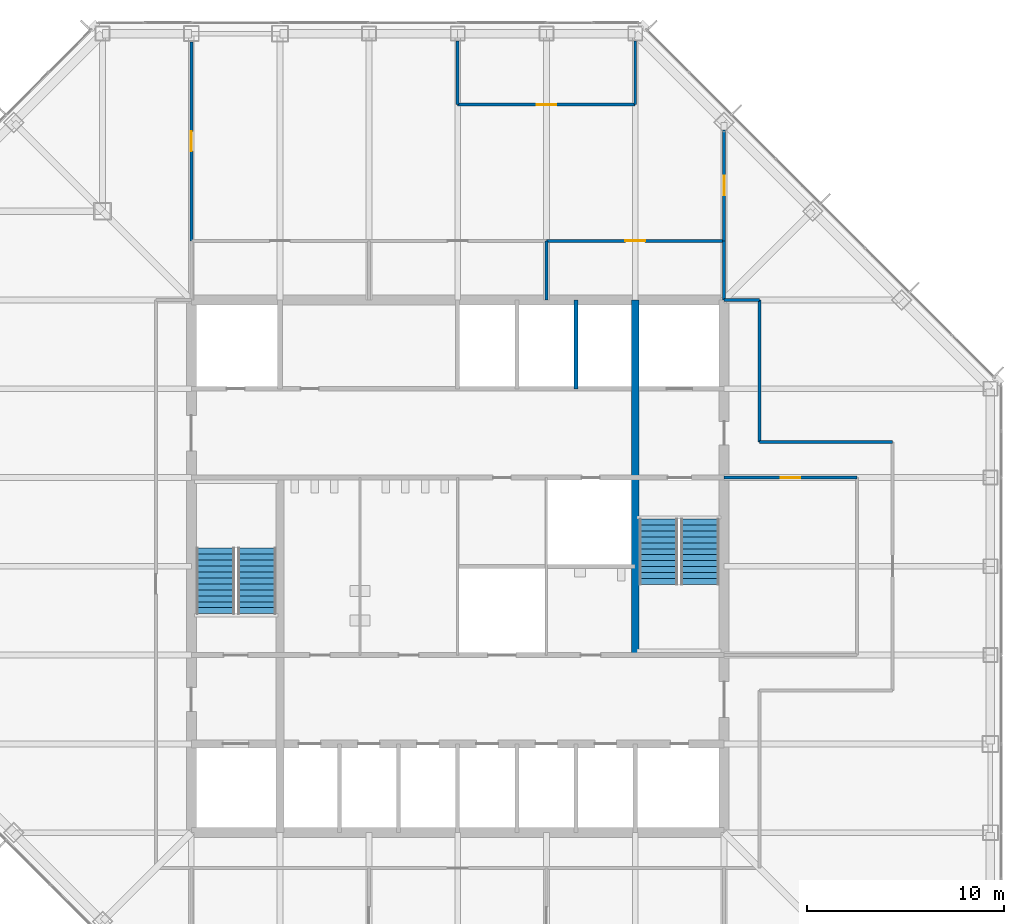
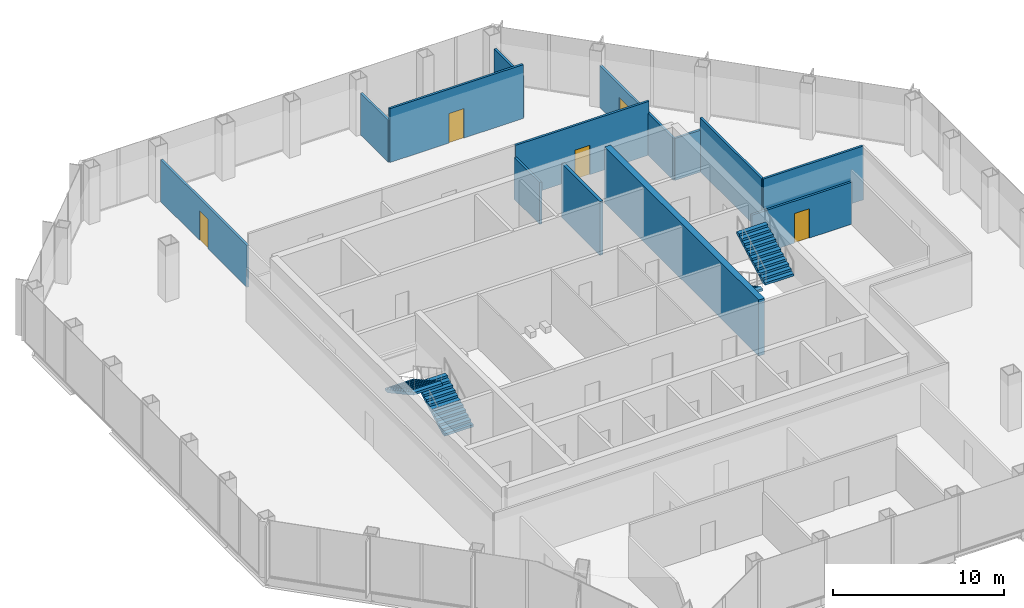
# One storey, part 10 of 12: 14 walls, 5 doors, 4 stair flights, 5 openings, 2 elements without a shape of their own.
"""IFC4 building model written with IfcOpenShell, lengths in metres."""

from ifc_helpers import new_model, si_unit, direction, frame, frame_2d, origin, place, context, subcontext, project, spatial, polyline, rectangle, outline, extrude, material, layer, layer_set, type_object, element, fill, aggregate, save


model = new_model("IFC4")

# Units and contexts
model_context = context("Model", 3, precision=1e-05, world=origin(), true_north=direction((0.0, 1.0)))
body_context = subcontext(model_context, "Body", "Model", "MODEL_VIEW")
ifc_project = project(units=[si_unit("LENGTHUNIT", "METRE"), si_unit("AREAUNIT", "SQUARE_METRE"), si_unit("VOLUMEUNIT", "CUBIC_METRE"), si_unit("PLANEANGLEUNIT", "RADIAN"), si_unit("MASSUNIT", "GRAM", prefix="KILO")], contexts=[model_context])

# Site, building, storey
site_placement = place(None, origin())
site = spatial("IfcSite", under=ifc_project, at=site_placement, CompositionType="ELEMENT")
building_placement = place(site_placement, origin())
building = spatial("IfcBuilding", under=site, at=building_placement, Name="Corais Broadcast Tower", CompositionType="ELEMENT")
storey_placement = place(building_placement, frame((0.0, 0.0, 187.60009765625)))
storey = spatial("IfcBuildingStorey", under=building, at=storey_placement, Name="L43", CompositionType="ELEMENT", Elevation=187.60009765625)

# Walls
ifc_material_1 = material(Name="Concrete C50/60", Category="concrete")
ifc_layer_1 = layer(ifc_material_1, 0.39990234375)
ifc_layer_set_1 = layer_set([ifc_layer_1], Name="Concrete C50/60")
wall_type_1 = type_object("IfcWallType", Name="Core wall 400", PredefinedType="SHEAR", material=ifc_layer_set_1)
wall_1_placement = place(storey_placement, frame((36.0, 22.5, 0.0), z_axis=(0.0, 0.0, 1.0), x_axis=(0.0, 1.0, 0.0)))
element("IfcWall", 1, at=wall_1_placement, inside=storey, type_object=wall_type_1, Name="CR400 core wall X36B L43", PredefinedType="SHEAR", context=body_context, shape_type="SweptSolid", body=[
    extrude(rectangle(XDim=18.0, YDim=0.39990234375, at=frame_2d((9.0, 0.0))), origin(), (0.0, 0.0, 1.0), 4.0),
])
ifc_material_2 = material(Name="Gypsum board on steel studs", Category="steel")
ifc_layer_2 = layer(ifc_material_2, 0.14990234375)
ifc_layer_set_2 = layer_set([ifc_layer_2], Name="Gypsum board on steel studs")
wall_type_2 = type_object("IfcWallType", Name="Partition 150", PredefinedType="PARTITIONING", material=ifc_layer_set_2)
wall_2_placement = place(storey_placement, frame((42.300048828125, 33.300048828125, 0.0), z_axis=(0.0, 0.0, 1.0), x_axis=(0.0, 1.0, 0.0)))
element("IfcWall", 2, at=wall_2_placement, inside=storey, type_object=wall_type_2, Name="IW3 corridor wall L43", PredefinedType="PARTITIONING", context=body_context, shape_type="SweptSolid", body=[
    extrude(rectangle(XDim=7.199951171875, YDim=0.14990234375, at=frame_2d((3.60009765625, 0.0))), origin(), (0.0, 0.0, 1.0), 3.83984375),
])
wall_3_placement = place(storey_placement, frame((49.050048828125, 33.300048828125, 0.0), z_axis=(0.0, 0.0, 1.0), x_axis=(-1.0, 0.0, 0.0)))
element("IfcWall", 3, at=wall_3_placement, inside=storey, type_object=wall_type_2, Name="IW3 corridor wall L43", PredefinedType="PARTITIONING", context=body_context, shape_type="SweptSolid", body=[
    extrude(rectangle(XDim=6.75, YDim=0.14990234375, at=frame_2d((3.375, 0.0))), origin(), (0.0, 0.0, 1.0), 3.83984375),
])
wall_4_placement = place(storey_placement, frame((42.300048828125, 40.5, 0.0), z_axis=(0.0, 0.0, 1.0), x_axis=(-1.0, 0.0, 0.0)))
element("IfcWall", 4, at=wall_4_placement, inside=storey, type_object=wall_type_2, Name="IW3 corridor wall L43", PredefinedType="PARTITIONING", context=body_context, shape_type="SweptSolid", body=[
    extrude(rectangle(XDim=1.800048828125, YDim=0.14990234375, at=frame_2d((0.89990234375, 0.0))), origin(), (0.0, 0.0, 1.0), 2.989013671875),
])

# Wall, opening, door
wall_5_placement = place(storey_placement, frame((47.25, 31.5, 0.0), z_axis=(0.0, 0.0, 1.0), x_axis=(-1.0, 0.0, 0.0)))
wall_5 = element("IfcWall", 5, at=wall_5_placement, inside=storey, type_object=wall_type_2, Name="IW3 partition L43", PredefinedType="PARTITIONING", context=body_context, shape_type="SweptSolid", body=[
    extrude(rectangle(XDim=6.75, YDim=0.14990234375, at=frame_2d((3.375, 0.0))), origin(), (0.0, 0.0, 1.0), 2.989013671875),
])
opening_1_placement = place(wall_5_placement, frame((2.875, 0.0, 0.0)))
opening_1 = element("IfcOpeningElement", 6, at=opening_1_placement, cuts=wall_5, Name="Opening D1", PredefinedType="OPENING", context=body_context, shape_type="SweptSolid", body=[
    extrude(rectangle(XDim=1.0, YDim=2.10009765625, at=frame_2d((0.5, 1.050048828125))), frame((0.0, 0.0849609375, 0.0), z_axis=(0.0, -1.0, 0.0), x_axis=(1.0, 0.0, 0.0)), (0.0, 0.0, 1.0), 0.169921875),
])
ifc_material_3 = material(Name="Timber door", Category="wood")
door_type = type_object("IfcDoorType", Name="Single door 1000x2100", OperationType="SINGLE_SWING_LEFT", PredefinedType="DOOR", material=ifc_material_3)
door_1_placement = place(opening_1_placement, origin())
door_1 = element("IfcDoor", 7, at=door_1_placement, inside=storey, type_object=door_type, Name="D1 Meeting room door", OperationType="SINGLE_SWING_LEFT", OverallHeight=2.10009765625, OverallWidth=1.0, PredefinedType="DOOR", context=body_context, shape_type="SweptSolid", body=[
    extrude(rectangle(XDim=1.0, YDim=2.10009765625, at=frame_2d((0.5, 1.050048828125))), frame((0.0, 0.02490234375, 0.0), z_axis=(0.0, -1.0, 0.0), x_axis=(1.0, 0.0, 0.0)), (0.0, 0.0, 1.0), 0.050048828125),
])
fill(opening_1, door_1)

# Walls
for number, where, z_axis, x_axis, name in (
    (8, (31.5, 40.5, 0.0), (0.0, 0.0, 1.0), (0.0, 1.0, 0.0), "IW3 partition L43"),
    (9, (40.5, 40.5, 0.0), (0.0, 0.0, 1.0), (0.0, 1.0, 0.0), "IW3 partition L43"),
):
    element("IfcWall", number, at=place(storey_placement, frame(where, z_axis=z_axis, x_axis=x_axis)), inside=storey, type_object=wall_type_2, Name=name, PredefinedType="PARTITIONING", context=body_context, shape_type="SweptSolid", body=[
        extrude(rectangle(XDim=3.0, YDim=0.14990234375, at=frame_2d((1.5, 0.0))), origin(), (0.0, 0.0, 1.0), 2.989013671875),
    ])

# Wall, opening, door
wall_6_placement = place(storey_placement, frame((40.5, 43.5, 0.0), z_axis=(0.0, 0.0, 1.0), x_axis=(-1.0, 0.0, 0.0)))
wall_6 = element("IfcWall", 10, at=wall_6_placement, inside=storey, type_object=wall_type_2, Name="IW3 partition L43", PredefinedType="PARTITIONING", context=body_context, shape_type="SweptSolid", body=[
    extrude(rectangle(XDim=9.0, YDim=0.14990234375, at=frame_2d((4.5, 0.0))), origin(), (0.0, 0.0, 1.0), 3.83984375),
])
opening_2_placement = place(wall_6_placement, frame((4.0, 0.0, 0.0)))
opening_2 = element("IfcOpeningElement", 11, at=opening_2_placement, cuts=wall_6, Name="Opening D1", PredefinedType="OPENING", context=body_context, shape_type="SweptSolid", body=[
    extrude(rectangle(XDim=1.0, YDim=2.10009765625, at=frame_2d((0.5, 1.050048828125))), frame((0.0, 0.0849609375, 0.0), z_axis=(0.0, -1.0, 0.0), x_axis=(1.0, 0.0, 0.0)), (0.0, 0.0, 1.0), 0.169921875),
])
door_2_placement = place(opening_2_placement, origin())
door_2 = element("IfcDoor", 12, at=door_2_placement, inside=storey, type_object=door_type, Name="D1 Stationery store door", OperationType="SINGLE_SWING_LEFT", OverallHeight=2.10009765625, OverallWidth=1.0, PredefinedType="DOOR", context=body_context, shape_type="SweptSolid", body=[
    extrude(rectangle(XDim=1.0, YDim=2.10009765625, at=frame_2d((0.5, 1.050048828125))), frame((0.0, 0.02490234375, 0.0), z_axis=(0.0, -1.0, 0.0), x_axis=(1.0, 0.0, 0.0)), (0.0, 0.0, 1.0), 0.050048828125),
])
fill(opening_2, door_2)

wall_7_placement = place(storey_placement, frame((27.0, 50.39990234375, 0.0), z_axis=(0.0, 0.0, 1.0), x_axis=(1.0, 0.0, 0.0)))
wall_7 = element("IfcWall", 13, at=wall_7_placement, inside=storey, type_object=wall_type_2, Name="IW3 partition L43", PredefinedType="PARTITIONING", context=body_context, shape_type="SweptSolid", body=[
    extrude(rectangle(XDim=9.0, YDim=0.14990234375, at=frame_2d((4.5, 0.0))), origin(), (0.0, 0.0, 1.0), 3.83984375),
])
opening_3_placement = place(wall_7_placement, frame((4.0, 0.0, 0.0)))
opening_3 = element("IfcOpeningElement", 14, at=opening_3_placement, cuts=wall_7, Name="Opening D1", PredefinedType="OPENING", context=body_context, shape_type="SweptSolid", body=[
    extrude(rectangle(XDim=1.0, YDim=2.10009765625, at=frame_2d((0.5, 1.050048828125))), frame((0.0, 0.0849609375, 0.0), z_axis=(0.0, -1.0, 0.0), x_axis=(1.0, 0.0, 0.0)), (0.0, 0.0, 1.0), 0.169921875),
])
door_3_placement = place(opening_3_placement, origin())
door_3 = element("IfcDoor", 15, at=door_3_placement, inside=storey, type_object=door_type, Name="D1 Pantry door", OperationType="SINGLE_SWING_LEFT", OverallHeight=2.10009765625, OverallWidth=1.0, PredefinedType="DOOR", context=body_context, shape_type="SweptSolid", body=[
    extrude(rectangle(XDim=1.0, YDim=2.10009765625, at=frame_2d((0.5, 1.050048828125))), frame((0.0, 0.02490234375, 0.0), z_axis=(0.0, -1.0, 0.0), x_axis=(1.0, 0.0, 0.0)), (0.0, 0.0, 1.0), 0.050048828125),
])
fill(opening_3, door_3)

# Walls
for number, where, z_axis, x_axis, name in (
    (16, (36.0, 50.39990234375, 0.0), (0.0, 0.0, 1.0), (0.0, 1.0, 0.0), "IW3 partition L43"),
    (17, (27.0, 53.614990234375, 0.0), (0.0, 0.0, 1.0), (0.0, -1.0, 0.0), "IW3 partition L43"),
):
    element("IfcWall", number, at=place(storey_placement, frame(where, z_axis=z_axis, x_axis=x_axis)), inside=storey, type_object=wall_type_2, Name=name, PredefinedType="PARTITIONING", context=body_context, shape_type="SweptSolid", body=[
        extrude(rectangle(XDim=3.215087890625, YDim=0.14990234375, at=frame_2d((1.607421875, 0.0))), origin(), (0.0, 0.0, 1.0), 2.989013671875),
    ])

# Wall, opening, door
wall_8_placement = place(storey_placement, frame((40.5, 49.10498046875, 0.0), z_axis=(0.0, 0.0, 1.0), x_axis=(0.0, -1.0, 0.0)))
wall_8 = element("IfcWall", 18, at=wall_8_placement, inside=storey, type_object=wall_type_2, Name="IW3 partition L43", PredefinedType="PARTITIONING", context=body_context, shape_type="SweptSolid", body=[
    extrude(rectangle(XDim=5.60498046875, YDim=0.14990234375, at=frame_2d((2.802490234375, 0.0))), origin(), (0.0, 0.0, 1.0), 2.989013671875),
])
opening_4_placement = place(wall_8_placement, frame((2.302490234375, 0.0, 0.0)))
opening_4 = element("IfcOpeningElement", 19, at=opening_4_placement, cuts=wall_8, Name="Opening D1", PredefinedType="OPENING", context=body_context, shape_type="SweptSolid", body=[
    extrude(rectangle(XDim=1.0, YDim=2.10009765625, at=frame_2d((0.5, 1.050048828125))), frame((0.0, 0.0849609375, 0.0), z_axis=(0.0, -1.0, 0.0), x_axis=(1.0, 0.0, 0.0)), (0.0, 0.0, 1.0), 0.169921875),
])
door_4_placement = place(opening_4_placement, origin())
door_4 = element("IfcDoor", 20, at=door_4_placement, inside=storey, type_object=door_type, Name="D1 team room door L43", OperationType="SINGLE_SWING_LEFT", OverallHeight=2.10009765625, OverallWidth=1.0, PredefinedType="DOOR", context=body_context, shape_type="SweptSolid", body=[
    extrude(rectangle(XDim=1.0, YDim=2.10009765625, at=frame_2d((0.5, 1.050048828125))), frame((0.0, 0.02490234375, 0.0), z_axis=(0.0, -1.0, 0.0), x_axis=(1.0, 0.0, 0.0)), (0.0, 0.0, 1.0), 0.050048828125),
])
fill(opening_4, door_4)

wall_9_placement = place(storey_placement, frame((13.5, 43.5, 0.0), z_axis=(0.0, 0.0, 1.0), x_axis=(0.0, 1.0, 0.0)))
wall_9 = element("IfcWall", 21, at=wall_9_placement, inside=storey, type_object=wall_type_2, Name="IW3 partition L43", PredefinedType="PARTITIONING", context=body_context, shape_type="SweptSolid", body=[
    extrude(rectangle(XDim=10.080078125, YDim=0.14990234375, at=frame_2d((5.0400390625, 0.0))), origin(), (0.0, 0.0, 1.0), 2.989013671875),
])
opening_5_placement = place(wall_9_placement, frame((4.5400390625, 0.0, 0.0)))
opening_5 = element("IfcOpeningElement", 22, at=opening_5_placement, cuts=wall_9, Name="Opening D1", PredefinedType="OPENING", context=body_context, shape_type="SweptSolid", body=[
    extrude(rectangle(XDim=1.0, YDim=2.10009765625, at=frame_2d((0.5, 1.050048828125))), frame((0.0, 0.0849609375, 0.0), z_axis=(0.0, -1.0, 0.0), x_axis=(1.0, 0.0, 0.0)), (0.0, 0.0, 1.0), 0.169921875),
])
door_5_placement = place(opening_5_placement, origin())
door_5 = element("IfcDoor", 23, at=door_5_placement, inside=storey, type_object=door_type, Name="D1 team room door L43", OperationType="SINGLE_SWING_LEFT", OverallHeight=2.10009765625, OverallWidth=1.0, PredefinedType="DOOR", context=body_context, shape_type="SweptSolid", body=[
    extrude(rectangle(XDim=1.0, YDim=2.10009765625, at=frame_2d((0.5, 1.050048828125))), frame((0.0, 0.02490234375, 0.0), z_axis=(0.0, -1.0, 0.0), x_axis=(1.0, 0.0, 0.0)), (0.0, 0.0, 1.0), 0.050048828125),
])
fill(opening_5, door_5)

# Wall
ifc_material_4 = material(Name="Concrete blockwork class A, grouted, two-hour", Category="masonry")
ifc_layer_3 = layer(ifc_material_4, 0.199951171875)
ifc_layer_set_3 = layer_set([ifc_layer_3], Name="Concrete blockwork class A, grouted, two-hour")
wall_type_3 = type_object("IfcWallType", Name="Shaft wall 200", PredefinedType="PARTITIONING", material=ifc_layer_set_3)
wall_10_placement = place(storey_placement, frame((33.0, 36.0, 0.0), z_axis=(0.0, 0.0, 1.0), x_axis=(0.0, 1.0, 0.0)))
element("IfcWall", 24, at=wall_10_placement, inside=storey, type_object=wall_type_3, Name="IW1 shaft wall L43", PredefinedType="PARTITIONING", context=body_context, shape_type="SweptSolid", body=[
    extrude(rectangle(XDim=4.5, YDim=0.199951171875, at=frame_2d((2.25, 0.0))), origin(), (0.0, 0.0, 1.0), 3.83984375),
])

# Stair, stair flights
ifc_material_5 = material(Name="Concrete C30/37", Category="concrete")
stair_type = type_object("IfcStairType", Name="Half-turn stair 4000", PredefinedType="HALF_TURN_STAIR", material=ifc_material_5)
stair_1_placement = place(storey_placement, origin())
stair_1 = element("IfcStair", 25, at=stair_1_placement, inside=storey, type_object=stair_type, Name="Stair A L43", PredefinedType="HALF_TURN_STAIR")
ifc_material_6 = material(Name="Concrete C30/37", Category="concrete")
stair_flight_type = type_object("IfcStairFlightType", Name="Stair flight 4000", PredefinedType="STRAIGHT", material=ifc_material_6)
stair_flight_1_placement = place(storey_placement, frame((16.824951171875, 24.60009765625, 0.0), z_axis=(0.0, 0.0, 1.0), x_axis=(0.0, 1.0, 0.0)))
stair_flight_1 = element("IfcStairFlight", 26, at=stair_flight_1_placement, type_object=stair_flight_type, Name="STA flight 1", NumberOfRisers=12, NumberOfTreads=11, PredefinedType="STRAIGHT", RiserHeight=0.166666667, TreadLength=0.302, context=body_context, shape_type="SweptSolid", body=[
    extrude(outline(polyline([(0.0, 0.0), (0.0, 0.166748046875), (0.302001953125, 0.166748046875), (0.302001953125, 0.333251953125), (0.60400390625, 0.333251953125), (0.60400390625, 0.5), (0.906005859375, 0.5), (0.906005859375, 0.666748046875), (1.2080078125, 0.666748046875), (1.2080078125, 0.833251953125), (1.510009765625, 0.833251953125), (1.510009765625, 1.0), (1.81201171875, 1.0), (1.81201171875, 1.166748046875), (2.114013671875, 1.166748046875), (2.114013671875, 1.333251953125), (2.416015625, 1.333251953125), (2.416015625, 1.5), (2.718017578125, 1.5), (2.718017578125, 1.666748046875), (3.02001953125, 1.666748046875), (3.02001953125, 1.833251953125), (3.322021484375, 1.833251953125), (3.322021484375, 2.0), (3.322021484375, 1.662109375), (0.310302734375, 0.0), (0.0, 0.0)])), frame((0.0, 0.97509765625, 0.0), z_axis=(0.0, -1.0, 0.0), x_axis=(1.0, 0.0, 0.0)), (0.0, 0.0, 1.0), 1.949951171875),
])
stair_flight_2_placement = place(storey_placement, frame((14.72509765625, 27.922119140625, 2.0), z_axis=(0.0, 0.0, 1.0), x_axis=(0.0, -1.0, 0.0)))
stair_flight_2 = element("IfcStairFlight", 27, at=stair_flight_2_placement, type_object=stair_flight_type, Name="STA flight 2", NumberOfRisers=12, NumberOfTreads=11, PredefinedType="STRAIGHT", RiserHeight=0.166666667, TreadLength=0.302, context=body_context, shape_type="SweptSolid", body=[
    extrude(outline(polyline([(0.0, 0.0), (0.0, 0.166748046875), (0.302001953125, 0.166748046875), (0.302001953125, 0.333251953125), (0.60400390625, 0.333251953125), (0.60400390625, 0.5), (0.906005859375, 0.5), (0.906005859375, 0.666748046875), (1.2080078125, 0.666748046875), (1.2080078125, 0.833251953125), (1.510009765625, 0.833251953125), (1.510009765625, 1.0), (1.81201171875, 1.0), (1.81201171875, 1.166748046875), (2.114013671875, 1.166748046875), (2.114013671875, 1.333251953125), (2.416015625, 1.333251953125), (2.416015625, 1.5), (2.718017578125, 1.5), (2.718017578125, 1.666748046875), (3.02001953125, 1.666748046875), (3.02001953125, 1.833251953125), (3.322021484375, 1.833251953125), (3.322021484375, 2.0), (3.322021484375, 1.662109375), (0.310302734375, 0.0), (0.0, 0.0)])), frame((0.0, 0.97509765625, 0.0), z_axis=(0.0, -1.0, 0.0), x_axis=(1.0, 0.0, 0.0)), (0.0, 0.0, 1.0), 1.949951171875),
])
aggregate(stair_1, [stair_flight_1, stair_flight_2])

stair_2_placement = place(storey_placement, origin())
stair_2 = element("IfcStair", 28, at=stair_2_placement, inside=storey, type_object=stair_type, Name="Stair B L43", PredefinedType="HALF_TURN_STAIR")
stair_flight_3_placement = place(storey_placement, frame((37.175048828125, 29.39990234375, 0.0), z_axis=(0.0, 0.0, 1.0), x_axis=(0.0, -1.0, 0.0)))
stair_flight_3 = element("IfcStairFlight", 29, at=stair_flight_3_placement, type_object=stair_flight_type, Name="STB flight 1", NumberOfRisers=12, NumberOfTreads=11, PredefinedType="STRAIGHT", RiserHeight=0.166666667, TreadLength=0.302, context=body_context, shape_type="SweptSolid", body=[
    extrude(outline(polyline([(0.0, 0.0), (0.0, 0.166748046875), (0.302001953125, 0.166748046875), (0.302001953125, 0.333251953125), (0.60400390625, 0.333251953125), (0.60400390625, 0.5), (0.906005859375, 0.5), (0.906005859375, 0.666748046875), (1.2080078125, 0.666748046875), (1.2080078125, 0.833251953125), (1.510009765625, 0.833251953125), (1.510009765625, 1.0), (1.81201171875, 1.0), (1.81201171875, 1.166748046875), (2.114013671875, 1.166748046875), (2.114013671875, 1.333251953125), (2.416015625, 1.333251953125), (2.416015625, 1.5), (2.718017578125, 1.5), (2.718017578125, 1.666748046875), (3.02001953125, 1.666748046875), (3.02001953125, 1.833251953125), (3.322021484375, 1.833251953125), (3.322021484375, 2.0), (3.322021484375, 1.662109375), (0.310302734375, 0.0), (0.0, 0.0)])), frame((0.0, 0.97509765625, 0.0), z_axis=(0.0, -1.0, 0.0), x_axis=(1.0, 0.0, 0.0)), (0.0, 0.0, 1.0), 1.949951171875),
])
stair_flight_4_placement = place(storey_placement, frame((39.27490234375, 26.077880859375, 2.0), z_axis=(0.0, 0.0, 1.0), x_axis=(0.0, 1.0, 0.0)))
stair_flight_4 = element("IfcStairFlight", 30, at=stair_flight_4_placement, type_object=stair_flight_type, Name="STB flight 2", NumberOfRisers=12, NumberOfTreads=11, PredefinedType="STRAIGHT", RiserHeight=0.166666667, TreadLength=0.302, context=body_context, shape_type="SweptSolid", body=[
    extrude(outline(polyline([(0.0, 0.0), (0.0, 0.166748046875), (0.302001953125, 0.166748046875), (0.302001953125, 0.333251953125), (0.60400390625, 0.333251953125), (0.60400390625, 0.5), (0.906005859375, 0.5), (0.906005859375, 0.666748046875), (1.2080078125, 0.666748046875), (1.2080078125, 0.833251953125), (1.510009765625, 0.833251953125), (1.510009765625, 1.0), (1.81201171875, 1.0), (1.81201171875, 1.166748046875), (2.114013671875, 1.166748046875), (2.114013671875, 1.333251953125), (2.416015625, 1.333251953125), (2.416015625, 1.5), (2.718017578125, 1.5), (2.718017578125, 1.666748046875), (3.02001953125, 1.666748046875), (3.02001953125, 1.833251953125), (3.322021484375, 1.833251953125), (3.322021484375, 2.0), (3.322021484375, 1.662109375), (0.310302734375, 0.0), (0.0, 0.0)])), frame((0.0, 0.97509765625, 0.0), z_axis=(0.0, -1.0, 0.0), x_axis=(1.0, 0.0, 0.0)), (0.0, 0.0, 1.0), 1.949951171875),
])
aggregate(stair_2, [stair_flight_3, stair_flight_4])

save(model, "model.ifc")
